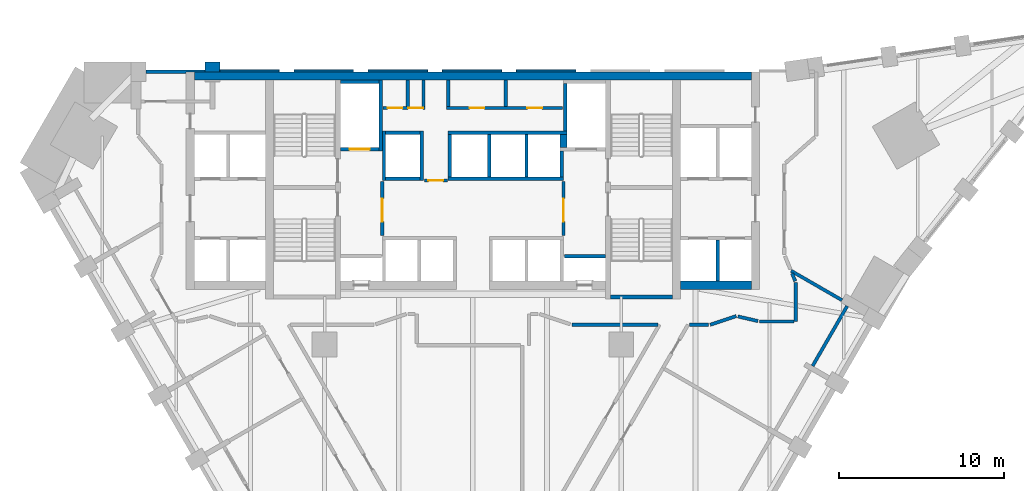
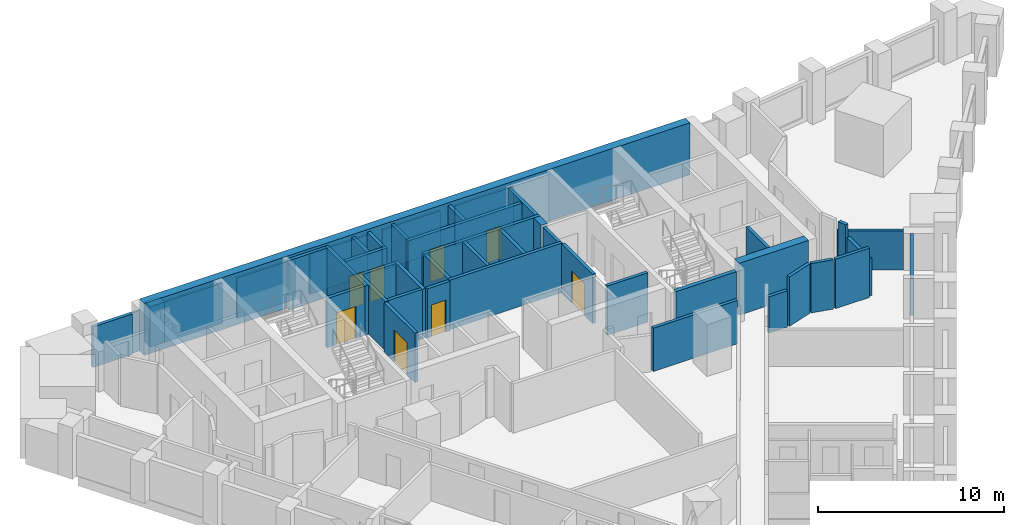
# One storey, part 7 of 10: 45 walls, 8 doors, 8 openings.
"""IFC4 building model written with IfcOpenShell, lengths in metres."""

from ifc_helpers import new_model, si_unit, direction, frame, frame_2d, origin, place, context, subcontext, project, spatial, polyline, rectangle, outline, extrude, material, layer, layer_set, type_object, element, fill, save


model = new_model("IFC4")

# Units and contexts
model_context = context("Model", 3, precision=1e-05, world=origin(), true_north=direction((0.0, 1.0)))
body_context = subcontext(model_context, "Body", "Model", "MODEL_VIEW")
ifc_project = project(units=[si_unit("LENGTHUNIT", "METRE"), si_unit("AREAUNIT", "SQUARE_METRE"), si_unit("VOLUMEUNIT", "CUBIC_METRE"), si_unit("PLANEANGLEUNIT", "RADIAN"), si_unit("MASSUNIT", "GRAM", prefix="KILO")], contexts=[model_context])

# Site, building, storey
site_placement = place(None, origin())
site = spatial("IfcSite", under=ifc_project, at=site_placement, CompositionType="ELEMENT")
building_placement = place(site_placement, origin())
building = spatial("IfcBuilding", under=site, at=building_placement, Name="Calabash Gate Tower", CompositionType="ELEMENT")
storey_placement = place(building_placement, frame((0.0, 0.0, 95.199951171875)))
storey = spatial("IfcBuildingStorey", under=building, at=storey_placement, Name="L20", CompositionType="ELEMENT", Elevation=95.199951171875)

# Walls
ifc_material_1 = material(Name="Terracotta brick masonry, exposed face", Category="masonry")
ifc_layer_1 = layer(ifc_material_1, 1.199951171875)
ifc_layer_set_1 = layer_set([ifc_layer_1], Name="Brick end wall 1200")
wall_type_1 = type_object("IfcWallType", Name="Brick end wall 1200", PredefinedType="SOLIDWALL", material=ifc_layer_set_1)
wall_1_placement = place(storey_placement, origin())
element("IfcWall", 1, at=wall_1_placement, inside=storey, type_object=wall_type_1, Name="Brick pier S05 N6.7a", PredefinedType="SOLIDWALL", context=body_context, shape_type="SweptSolid", body=[
    extrude(outline(polyline([(-15.35498046875, 19.052490234375), (-15.35498046875, 19.652587890625), (-16.255126953125, 19.652587890625), (-16.255126953125, 19.052490234375), (-15.35498046875, 19.052490234375)])), origin(), (0.0, 0.0, 1.0), 2.650146484375),
])
ifc_material_2 = material(Name="Gypsum board on steel studs, mineral wool", Category="steel")
ifc_layer_2 = layer(ifc_material_2, 0.199951171875)
ifc_layer_set_2 = layer_set([ifc_layer_2], Name="Core partition 200 gypsum board")
wall_type_2 = type_object("IfcWallType", Name="Core partition 200 gypsum board", PredefinedType="PARTITIONING", material=ifc_layer_set_2)
for number, where, z_axis, x_axis, name in (
    (2, (-3.949951171875, 16.95263671875, 0.0), (0.0, 0.0, 1.0), (0.0, 1.0, 0.0), "Core partition"),
    (3, (-3.0, 16.95263671875, 0.0), (0.0, 0.0, 1.0), (0.0, 1.0, 0.0), "Core partition"),
    (4, (-1.5, 16.95263671875, 0.0), (0.0, 0.0, 1.0), (0.0, 1.0, 0.0), "Core partition"),
    (5, (2.0, 16.95263671875, 0.0), (0.0, 0.0, 1.0), (0.0, 1.0, 0.0), "Core partition"),
):
    element("IfcWall", number, at=place(storey_placement, frame(where, z_axis=z_axis, x_axis=x_axis)), inside=storey, type_object=wall_type_2, Name=name, PredefinedType="PARTITIONING", context=body_context, shape_type="SweptSolid", body=[
        extrude(rectangle(XDim=1.599853515625, YDim=0.199951171875, at=frame_2d((0.7998046875, 0.0))), origin(), (0.0, 0.0, 1.0), 3.22998046875),
    ])
ifc_material_3 = material(Name="Concrete C80/95", Category="concrete")
ifc_layer_3 = layer(ifc_material_3, 0.25)
ifc_layer_set_3 = layer_set([ifc_layer_3], Name="Core wall 250 Concrete C80/95")
wall_type_3 = type_object("IfcWallType", Name="Core wall 250 Concrete C80/95", PredefinedType="SHEAR", material=ifc_layer_set_3)
wall_2_placement = place(storey_placement, frame((8.35009765625, 5.377685546875, 0.0), z_axis=(0.0, 0.0, 1.0), x_axis=(1.0, 0.0, 0.0)))
element("IfcWall", 6, at=wall_2_placement, inside=storey, type_object=wall_type_3, Name="Core wall Z2-SSE L20", PredefinedType="SHEAR", context=body_context, shape_type="SweptSolid", body=[
    extrude(rectangle(XDim=3.75, YDim=0.25, at=frame_2d((1.875, 0.0))), origin(), (0.0, 0.0, 1.0), 3.400146484375),
])
ifc_material_4 = material(Name="Concrete C80/95", Category="concrete")
ifc_layer_4 = layer(ifc_material_4, 0.5)
ifc_layer_set_4 = layer_set([ifc_layer_4], Name="Core wall 500 Concrete C80/95")
wall_type_4 = type_object("IfcWallType", Name="Core wall 500 Concrete C80/95", PredefinedType="SHEAR", material=ifc_layer_set_4)
wall_3_placement = place(storey_placement, frame((-16.89990234375, 18.802490234375, 0.0), z_axis=(0.0, 0.0, 1.0), x_axis=(1.0, 0.0, 0.0)))
element("IfcWall", 7, at=wall_3_placement, inside=storey, type_object=wall_type_4, Name="Core wall Z2-N L20", PredefinedType="SHEAR", context=body_context, shape_type="SweptSolid", body=[
    extrude(rectangle(XDim=33.7998046875, YDim=0.5, at=frame_2d((16.89990234375, 0.0))), origin(), (0.0, 0.0, 1.0), 3.400146484375),
])
wall_4_placement = place(storey_placement, frame((12.60009765625, 6.1025390625, 0.0), z_axis=(0.0, 0.0, 1.0), x_axis=(1.0, 0.0, 0.0)))
element("IfcWall", 8, at=wall_4_placement, inside=storey, type_object=wall_type_4, Name="Core wall Z2-SE L20", PredefinedType="SHEAR", context=body_context, shape_type="SweptSolid", body=[
    extrude(rectangle(XDim=4.2998046875, YDim=0.5, at=frame_2d((2.14990234375, 0.0))), origin(), (0.0, 0.0, 1.0), 3.400146484375),
])
ifc_material_5 = material(Name="Gypsum board on steel studs, mineral wool", Category="steel")
ifc_layer_5 = layer(ifc_material_5, 0.199951171875)
ifc_layer_set_5 = layer_set([ifc_layer_5], Name="Partition 200 gypsum board EI 60")
wall_type_5 = type_object("IfcWallType", Name="Partition 200 gypsum board EI 60", PredefinedType="PARTITIONING", material=ifc_layer_set_5)
wall_5_placement = place(storey_placement, frame((6.0, 3.69970703125, 0.0), z_axis=(0.0, 0.0, 1.0), x_axis=(1.0, 0.0, 0.0)))
element("IfcWall", 9, at=wall_5_placement, inside=storey, type_object=wall_type_5, Name="Partition", PredefinedType="PARTITIONING", context=body_context, shape_type="SweptSolid", body=[
    extrude(rectangle(XDim=5.21875, YDim=0.199951171875, at=frame_2d((2.609375, 0.0))), origin(), (0.0, 0.0, 1.0), 2.83154296875),
])
wall_6_placement = place(storey_placement, frame((13.1513671875, 3.699462890625, 0.0), z_axis=(0.0, 0.0, 1.0), x_axis=(1.0, 0.0, 0.0)))
element("IfcWall", 10, at=wall_6_placement, inside=storey, type_object=wall_type_5, Name="Partition", PredefinedType="PARTITIONING", context=body_context, shape_type="SweptSolid", body=[
    extrude(rectangle(XDim=1.148681640625, YDim=0.199951171875, at=frame_2d((0.57421875, 0.0))), origin(), (0.0, 0.0, 1.0), 2.384033203125),
])
wall_7_placement = place(storey_placement, frame((17.39990234375, 3.8994140625, 0.0), z_axis=(0.0, 0.0, 1.0), x_axis=(0.999999993244, 0.000116238521, 0.0)))
element("IfcWall", 11, at=wall_7_placement, inside=storey, type_object=wall_type_5, Name="Partition", PredefinedType="PARTITIONING", context=body_context, shape_type="SweptSolid", body=[
    extrude(rectangle(XDim=2.100341796875, YDim=0.199951171875, at=frame_2d((1.05029296875, 0.0))), origin(), (0.0, 0.0, 1.0), 3.22998046875),
])
wall_8_placement = place(storey_placement, frame((16.080322265625, 4.20458984375, 0.0), z_axis=(0.0, 0.0, 1.0), x_axis=(0.974315694548, -0.225186428005, 0.0)))
element("IfcWall", 12, at=wall_8_placement, inside=storey, type_object=wall_type_5, Name="Partition", PredefinedType="PARTITIONING", context=body_context, shape_type="SweptSolid", body=[
    extrude(rectangle(XDim=1.25439453125, YDim=0.199951171875, at=frame_2d((0.627197265625, 0.0))), origin(), (0.0, 0.0, 1.0), 3.22998046875),
])
wall_9_placement = place(storey_placement, frame((14.400146484375, 3.699462890625, 0.0), z_axis=(0.0, 0.0, 1.0), x_axis=(0.948683298051, 0.316227766017, 0.0)))
element("IfcWall", 13, at=wall_9_placement, inside=storey, type_object=wall_type_5, Name="Partition", PredefinedType="PARTITIONING", context=body_context, shape_type="SweptSolid", body=[
    extrude(rectangle(XDim=1.66845703125, YDim=0.199951171875, at=frame_2d((0.834228515625, 0.0))), origin(), (0.0, 0.0, 1.0), 3.22998046875),
])
wall_10_placement = place(storey_placement, frame((19.3046875, 6.97509765625, 0.0), z_axis=(0.0, 0.0, 1.0), x_axis=(0.866254994177, -0.499602126761, 0.0)))
element("IfcWall", 14, at=wall_10_placement, inside=storey, type_object=wall_type_5, Name="Partition", PredefinedType="PARTITIONING", context=body_context, shape_type="SweptSolid", body=[
    extrude(rectangle(XDim=3.57177734375, YDim=0.199951171875, at=frame_2d((1.785888671875, 0.0))), origin(), (0.0, 0.0, 1.0), 2.552001953125),
])
wall_11_placement = place(storey_placement, frame((19.600341796875, 3.899658203125, 0.0), z_axis=(0.0, 0.0, 1.0), x_axis=(0.000103755965, 0.999999994617, 0.0)))
element("IfcWall", 15, at=wall_11_placement, inside=storey, type_object=wall_type_5, Name="Partition", PredefinedType="PARTITIONING", context=body_context, shape_type="SweptSolid", body=[
    extrude(rectangle(XDim=2.35302734375, YDim=0.199951171875, at=frame_2d((1.176513671875, 0.0))), origin(), (0.0, 0.0, 1.0), 2.4501953125),
])
wall_12_placement = place(storey_placement, frame((19.366455078125, 6.823974609375, 0.0), z_axis=(0.0, 0.0, 1.0), x_axis=(0.378945204734, -0.925419111435, 0.0)))
element("IfcWall", 16, at=wall_12_placement, inside=storey, type_object=wall_type_5, Name="Partition", PredefinedType="PARTITIONING", context=body_context, shape_type="SweptSolid", body=[
    extrude(rectangle(XDim=0.517333984375, YDim=0.199951171875, at=frame_2d((0.2587890625, 0.0))), origin(), (0.0, 0.0, 1.0), 3.22998046875),
])
ifc_material_6 = material(Name="Concrete C40/50", Category="concrete")
ifc_layer_6 = layer(ifc_material_6, 0.199951171875)
ifc_layer_set_6 = layer_set([ifc_layer_6], Name="Shaft wall 200 Concrete C40/50")
wall_type_6 = type_object("IfcWallType", Name="Shaft wall 200 Concrete C40/50", PredefinedType="SOLIDWALL", material=ifc_layer_set_6)
for number, where, z_axis, x_axis, name in (
    (17, (14.85009765625, 6.3525390625, 0.0), (0.0, 0.0, 1.0), (0.0, 1.0, 0.0), "Shaft wall"),
    (18, (5.550048828125, 7.8525390625, 0.0), (0.0, 0.0, 1.0), (1.0, 0.0, 0.0), "Shaft wall"),
):
    element("IfcWall", number, at=place(storey_placement, frame(where, z_axis=z_axis, x_axis=x_axis)), inside=storey, type_object=wall_type_6, Name=name, PredefinedType="SOLIDWALL", context=body_context, shape_type="SweptSolid", body=[
        extrude(rectangle(XDim=2.5, YDim=0.199951171875, at=frame_2d((1.25, 0.0))), origin(), (0.0, 0.0, 1.0), 3.22998046875),
    ])

# Wall, opening, door
wall_13_placement = place(storey_placement, frame((-5.5, 9.1025390625, 0.0), z_axis=(0.0, 0.0, 1.0), x_axis=(0.0, 1.0, 0.0)))
wall_13 = element("IfcWall", 19, at=wall_13_placement, inside=storey, type_object=wall_type_6, Name="Shaft wall", PredefinedType="SOLIDWALL", context=body_context, shape_type="SweptSolid", body=[
    extrude(rectangle(XDim=3.300048828125, YDim=0.199951171875, at=frame_2d((1.64990234375, 0.0))), origin(), (0.0, 0.0, 1.0), 3.22998046875),
])
opening_1_placement = place(wall_13_placement, frame((0.85009765625, 0.0, 0.0)))
opening_1 = element("IfcOpeningElement", 20, at=opening_1_placement, cuts=wall_13, Name="Opening H5-007", PredefinedType="OPENING", context=body_context, shape_type="SweptSolid", body=[
    extrude(rectangle(XDim=1.39990234375, YDim=2.10009765625, at=frame_2d((0.699951171875, 1.050048828125))), frame((0.0, 0.10986328125, 0.0), z_axis=(0.0, -1.0, 0.0), x_axis=(1.0, 0.0, 0.0)), (0.0, 0.0, 1.0), 0.219970703125),
])
ifc_material_7 = material(Name="Steel fire door set with fire-resisting glazing", Category="steel")
door_type_1 = type_object("IfcDoorType", Name="Fire door D05 1400x2100 FD90", OperationType="NOTDEFINED", PredefinedType="DOOR", material=ifc_material_7)
door_1_placement = place(opening_1_placement, origin())
door_1 = element("IfcDoor", 21, at=door_1_placement, inside=storey, type_object=door_type_1, Name="Firefighting Lobby W door", OperationType="SINGLE_SWING_RIGHT", OverallHeight=2.10009765625, OverallWidth=1.39990234375, PredefinedType="DOOR", context=body_context, shape_type="SweptSolid", body=[
    extrude(rectangle(XDim=1.39990234375, YDim=2.10009765625, at=frame_2d((0.699951171875, 1.050048828125))), frame((0.0, 0.02490234375, 0.0), z_axis=(0.0, -1.0, 0.0), x_axis=(1.0, 0.0, 0.0)), (0.0, 0.0, 1.0), 0.050048828125),
])
fill(opening_1, door_1)

wall_14_placement = place(storey_placement, frame((5.5, 9.1025390625, 0.0), z_axis=(0.0, 0.0, 1.0), x_axis=(0.0, 1.0, 0.0)))
wall_14 = element("IfcWall", 22, at=wall_14_placement, inside=storey, type_object=wall_type_6, Name="Shaft wall", PredefinedType="SOLIDWALL", context=body_context, shape_type="SweptSolid", body=[
    extrude(rectangle(XDim=3.300048828125, YDim=0.199951171875, at=frame_2d((1.64990234375, 0.0))), origin(), (0.0, 0.0, 1.0), 3.22998046875),
])
opening_2_placement = place(wall_14_placement, frame((0.85009765625, 0.0, 0.0)))
opening_2 = element("IfcOpeningElement", 23, at=opening_2_placement, cuts=wall_14, Name="Opening H5-006", PredefinedType="OPENING", context=body_context, shape_type="SweptSolid", body=[
    extrude(rectangle(XDim=1.39990234375, YDim=2.10009765625, at=frame_2d((0.699951171875, 1.050048828125))), frame((0.0, 0.10986328125, 0.0), z_axis=(0.0, -1.0, 0.0), x_axis=(1.0, 0.0, 0.0)), (0.0, 0.0, 1.0), 0.219970703125),
])
door_2_placement = place(opening_2_placement, origin())
door_2 = element("IfcDoor", 24, at=door_2_placement, inside=storey, type_object=door_type_1, Name="Firefighting Lobby E door", OperationType="SINGLE_SWING_LEFT", OverallHeight=2.10009765625, OverallWidth=1.39990234375, PredefinedType="DOOR", context=body_context, shape_type="SweptSolid", body=[
    extrude(rectangle(XDim=1.39990234375, YDim=2.10009765625, at=frame_2d((0.699951171875, 1.050048828125))), frame((0.0, 0.02490234375, 0.0), z_axis=(0.0, -1.0, 0.0), x_axis=(1.0, 0.0, 0.0)), (0.0, 0.0, 1.0), 0.050048828125),
])
fill(opening_2, door_2)

wall_15_placement = place(storey_placement, frame((-2.949951171875, 12.45263671875, 0.0), z_axis=(0.0, 0.0, 1.0), x_axis=(1.0, 0.0, 0.0)))
wall_15 = element("IfcWall", 25, at=wall_15_placement, inside=storey, type_object=wall_type_6, Name="Shaft wall", PredefinedType="SOLIDWALL", context=body_context, shape_type="SweptSolid", body=[
    extrude(rectangle(XDim=1.39990234375, YDim=0.199951171875, at=frame_2d((0.699951171875, 0.0))), origin(), (0.0, 0.0, 1.0), 3.22998046875),
])
opening_3_placement = place(wall_15_placement, frame((0.25, 0.0, 0.0)))
opening_3 = element("IfcOpeningElement", 26, at=opening_3_placement, cuts=wall_15, Name="Opening H5-005", PredefinedType="OPENING", context=body_context, shape_type="SweptSolid", body=[
    extrude(rectangle(XDim=0.89990234375, YDim=2.10009765625, at=frame_2d((0.449951171875, 1.050048828125))), frame((0.0, 0.10986328125, 0.0), z_axis=(0.0, -1.0, 0.0), x_axis=(1.0, 0.0, 0.0)), (0.0, 0.0, 1.0), 0.219970703125),
])
ifc_material_8 = material(Name="Steel fire door set with fire-resisting glazing", Category="steel")
door_type_2 = type_object("IfcDoorType", Name="Fire door D06 900x2100 FD60", OperationType="NOTDEFINED", PredefinedType="DOOR", material=ifc_material_8)
door_3_placement = place(opening_3_placement, origin())
door_3 = element("IfcDoor", 27, at=door_3_placement, inside=storey, type_object=door_type_2, Name="Service Corridor door", OperationType="SINGLE_SWING_RIGHT", OverallHeight=2.10009765625, OverallWidth=0.89990234375, PredefinedType="DOOR", context=body_context, shape_type="SweptSolid", body=[
    extrude(rectangle(XDim=0.89990234375, YDim=2.10009765625, at=frame_2d((0.449951171875, 1.050048828125))), frame((0.0, 0.02490234375, 0.0), z_axis=(0.0, -1.0, 0.0), x_axis=(1.0, 0.0, 0.0)), (0.0, 0.0, 1.0), 0.050048828125),
])
fill(opening_3, door_3)

# Walls
wall_16_placement = place(storey_placement, frame((-5.39990234375, 12.45263671875, 0.0), z_axis=(0.0, 0.0, 1.0), x_axis=(0.0, 1.0, 0.0)))
element("IfcWall", 28, at=wall_16_placement, inside=storey, type_object=wall_type_6, Name="Shaft wall", PredefinedType="SOLIDWALL", context=body_context, shape_type="SweptSolid", body=[
    extrude(rectangle(XDim=3.0, YDim=0.199951171875, at=frame_2d((1.5, 0.0))), origin(), (0.0, 0.0, 1.0), 3.22998046875),
])
wall_17_placement = place(storey_placement, frame((-5.300048828125, 12.552490234375, 0.0), z_axis=(0.0, 0.0, 1.0), x_axis=(1.0, 0.0, 0.0)))
element("IfcWall", 29, at=wall_17_placement, inside=storey, type_object=wall_type_6, Name="Shaft wall", PredefinedType="SOLIDWALL", context=body_context, shape_type="SweptSolid", body=[
    extrude(rectangle(XDim=2.10009765625, YDim=0.199951171875, at=frame_2d((1.050048828125, 0.0))), origin(), (0.0, 0.0, 1.0), 3.22998046875),
])
wall_18_placement = place(storey_placement, frame((-3.10009765625, 12.45263671875, 0.0), z_axis=(0.0, 0.0, 1.0), x_axis=(0.0, 1.0, 0.0)))
element("IfcWall", 30, at=wall_18_placement, inside=storey, type_object=wall_type_6, Name="Shaft wall", PredefinedType="SOLIDWALL", context=body_context, shape_type="SweptSolid", body=[
    extrude(rectangle(XDim=3.0, YDim=0.199951171875, at=frame_2d((1.5, 0.0))), origin(), (0.0, 0.0, 1.0), 3.22998046875),
])
wall_19_placement = place(storey_placement, frame((-1.5, 12.552490234375, 0.0), z_axis=(0.0, 0.0, 1.0), x_axis=(1.0, 0.0, 0.0)))
element("IfcWall", 31, at=wall_19_placement, inside=storey, type_object=wall_type_6, Name="Shaft wall", PredefinedType="SOLIDWALL", context=body_context, shape_type="SweptSolid", body=[
    extrude(rectangle(XDim=7.0, YDim=0.199951171875, at=frame_2d((3.5, 0.0))), origin(), (0.0, 0.0, 1.0), 3.22998046875),
])
for number, where, z_axis, x_axis, name in (
    (32, (-1.39990234375, 12.652587890625, 0.0), (0.0, 0.0, 1.0), (0.0, 1.0, 0.0), "Shaft wall"),
    (33, (1.0, 12.652587890625, 0.0), (0.0, 0.0, 1.0), (0.0, 1.0, 0.0), "Shaft wall"),
    (34, (3.25, 12.652587890625, 0.0), (0.0, 0.0, 1.0), (0.0, 1.0, 0.0), "Shaft wall"),
):
    element("IfcWall", number, at=place(storey_placement, frame(where, z_axis=z_axis, x_axis=x_axis)), inside=storey, type_object=wall_type_6, Name=name, PredefinedType="SOLIDWALL", context=body_context, shape_type="SweptSolid", body=[
        extrude(rectangle(XDim=2.60009765625, YDim=0.199951171875, at=frame_2d((1.300048828125, 0.0))), origin(), (0.0, 0.0, 1.0), 3.22998046875),
    ])
wall_20_placement = place(storey_placement, frame((5.39990234375, 12.652587890625, 0.0), z_axis=(0.0, 0.0, 1.0), x_axis=(0.0, 1.0, 0.0)))
element("IfcWall", 35, at=wall_20_placement, inside=storey, type_object=wall_type_6, Name="Shaft wall", PredefinedType="SOLIDWALL", context=body_context, shape_type="SweptSolid", body=[
    extrude(rectangle(XDim=1.60009765625, YDim=0.199951171875, at=frame_2d((0.800048828125, 0.0))), origin(), (0.0, 0.0, 1.0), 3.22998046875),
])

# Wall, opening, door
wall_21_placement = place(storey_placement, frame((-8.050048828125, 14.3525390625, 0.0), z_axis=(0.0, 0.0, 1.0), x_axis=(1.0, 0.0, 0.0)))
wall_21 = element("IfcWall", 36, at=wall_21_placement, inside=storey, type_object=wall_type_6, Name="Shaft wall", PredefinedType="SOLIDWALL", context=body_context, shape_type="SweptSolid", body=[
    extrude(rectangle(XDim=2.35009765625, YDim=0.199951171875, at=frame_2d((1.175048828125, 0.0))), origin(), (0.0, 0.0, 1.0), 3.22998046875),
])
opening_4_placement = place(wall_21_placement, frame((0.574951171875, 0.0, 0.0)))
opening_4 = element("IfcOpeningElement", 37, at=opening_4_placement, cuts=wall_21, Name="Opening LD-FF1", PredefinedType="OPENING", context=body_context, shape_type="SweptSolid", body=[
    extrude(rectangle(XDim=1.199951171875, YDim=2.10009765625, at=frame_2d((0.60009765625, 1.050048828125))), frame((0.0, 0.10986328125, 0.0), z_axis=(0.0, -1.0, 0.0), x_axis=(1.0, 0.0, 0.0)), (0.0, 0.0, 1.0), 0.219970703125),
])
ifc_material_9 = material(Name="Stainless steel sliding door leaves", Category="steel")
door_type_3 = type_object("IfcDoorType", Name="Lift landing door LS3 1200x2100 FD90", OperationType="DOUBLE_DOOR_SLIDING", PredefinedType="DOOR", material=ifc_material_9)
door_4_placement = place(opening_4_placement, origin())
door_4 = element("IfcDoor", 38, at=door_4_placement, inside=storey, type_object=door_type_3, Name="Lift landing door FF1", OperationType="DOUBLE_DOOR_SLIDING", OverallHeight=2.10009765625, OverallWidth=1.199951171875, PredefinedType="DOOR", context=body_context, shape_type="SweptSolid", body=[
    extrude(rectangle(XDim=1.199951171875, YDim=2.10009765625, at=frame_2d((0.60009765625, 1.050048828125))), frame((0.0, 0.02490234375, 0.0), z_axis=(0.0, -1.0, 0.0), x_axis=(1.0, 0.0, 0.0)), (0.0, 0.0, 1.0), 0.050048828125),
])
fill(opening_4, door_4)

# Walls
wall_22_placement = place(storey_placement, frame((-5.60009765625, 14.252685546875, 0.0), z_axis=(0.0, 0.0, 1.0), x_axis=(0.0, 1.0, 0.0)))
element("IfcWall", 39, at=wall_22_placement, inside=storey, type_object=wall_type_6, Name="Shaft wall", PredefinedType="SOLIDWALL", context=body_context, shape_type="SweptSolid", body=[
    extrude(rectangle(XDim=4.2998046875, YDim=0.199951171875, at=frame_2d((2.14990234375, 0.0))), origin(), (0.0, 0.0, 1.0), 3.22998046875),
])
wall_23_placement = place(storey_placement, frame((5.5, 14.45263671875, 0.0), z_axis=(0.0, 0.0, 1.0), x_axis=(0.0, 1.0, 0.0)))
element("IfcWall", 40, at=wall_23_placement, inside=storey, type_object=wall_type_6, Name="Shaft wall", PredefinedType="SOLIDWALL", context=body_context, shape_type="SweptSolid", body=[
    extrude(rectangle(XDim=0.800048828125, YDim=0.39990234375, at=frame_2d((0.39990234375, 0.0))), origin(), (0.0, 0.0, 1.0), 3.22998046875),
])
wall_24_placement = place(storey_placement, frame((-5.300048828125, 15.3525390625, 0.0), z_axis=(0.0, 0.0, 1.0), x_axis=(1.0, 0.0, 0.0)))
element("IfcWall", 41, at=wall_24_placement, inside=storey, type_object=wall_type_6, Name="Shaft wall", PredefinedType="SOLIDWALL", context=body_context, shape_type="SweptSolid", body=[
    extrude(rectangle(XDim=2.10009765625, YDim=0.199951171875, at=frame_2d((1.050048828125, 0.0))), origin(), (0.0, 0.0, 1.0), 3.22998046875),
])
wall_25_placement = place(storey_placement, frame((-1.5, 15.3525390625, 0.0), z_axis=(0.0, 0.0, 1.0), x_axis=(1.0, 0.0, 0.0)))
element("IfcWall", 42, at=wall_25_placement, inside=storey, type_object=wall_type_6, Name="Shaft wall", PredefinedType="SOLIDWALL", context=body_context, shape_type="SweptSolid", body=[
    extrude(rectangle(XDim=7.199951171875, YDim=0.199951171875, at=frame_2d((3.60009765625, 0.0))), origin(), (0.0, 0.0, 1.0), 3.22998046875),
])
wall_26_placement = place(storey_placement, frame((5.60009765625, 15.45263671875, 0.0), z_axis=(0.0, 0.0, 1.0), x_axis=(0.0, 1.0, 0.0)))
element("IfcWall", 43, at=wall_26_placement, inside=storey, type_object=wall_type_6, Name="Shaft wall", PredefinedType="SOLIDWALL", context=body_context, shape_type="SweptSolid", body=[
    extrude(rectangle(XDim=2.89990234375, YDim=0.199951171875, at=frame_2d((1.449951171875, 0.0))), origin(), (0.0, 0.0, 1.0), 3.22998046875),
])

# Wall, openings, doors
wall_27_placement = place(storey_placement, frame((-5.449951171875, 16.8525390625, 0.0), z_axis=(0.0, 0.0, 1.0), x_axis=(1.0, 0.0, 0.0)))
wall_27 = element("IfcWall", 44, at=wall_27_placement, inside=storey, type_object=wall_type_6, Name="Shaft wall", PredefinedType="SOLIDWALL", context=body_context, shape_type="SweptSolid", body=[
    extrude(rectangle(XDim=2.550048828125, YDim=0.199951171875, at=frame_2d((1.27490234375, 0.0))), origin(), (0.0, 0.0, 1.0), 3.22998046875),
])
opening_5_placement = place(wall_27_placement, frame((0.27490234375, 0.0, 0.0)))
opening_5 = element("IfcOpeningElement", 45, at=opening_5_placement, cuts=wall_27, Name="Opening H5-008", PredefinedType="OPENING", context=body_context, shape_type="SweptSolid", body=[
    extrude(rectangle(XDim=0.89990234375, YDim=2.10009765625, at=frame_2d((0.449951171875, 1.050048828125))), frame((0.0, 0.10986328125, 0.0), z_axis=(0.0, -1.0, 0.0), x_axis=(1.0, 0.0, 0.0)), (0.0, 0.0, 1.0), 0.219970703125),
])
opening_6_placement = place(wall_27_placement, frame((1.52490234375, 0.0, 0.0)))
opening_6 = element("IfcOpeningElement", 46, at=opening_6_placement, cuts=wall_27, Name="Opening H5-009", PredefinedType="OPENING", context=body_context, shape_type="SweptSolid", body=[
    extrude(rectangle(XDim=0.89990234375, YDim=2.10009765625, at=frame_2d((0.449951171875, 1.050048828125))), frame((0.0, 0.10986328125, 0.0), z_axis=(0.0, -1.0, 0.0), x_axis=(1.0, 0.0, 0.0)), (0.0, 0.0, 1.0), 0.219970703125),
])
door_5_placement = place(opening_5_placement, origin())
door_5 = element("IfcDoor", 47, at=door_5_placement, inside=storey, type_object=door_type_2, Name="Hotel Pantry door", OperationType="SINGLE_SWING_LEFT", OverallHeight=2.10009765625, OverallWidth=0.89990234375, PredefinedType="DOOR", context=body_context, shape_type="SweptSolid", body=[
    extrude(rectangle(XDim=0.89990234375, YDim=2.10009765625, at=frame_2d((0.449951171875, 1.050048828125))), frame((0.0, 0.02490234375, 0.0), z_axis=(0.0, -1.0, 0.0), x_axis=(1.0, 0.0, 0.0)), (0.0, 0.0, 1.0), 0.050048828125),
])
fill(opening_5, door_5)
door_6_placement = place(opening_6_placement, origin())
door_6 = element("IfcDoor", 48, at=door_6_placement, inside=storey, type_object=door_type_2, Name="Luggage Store door", OperationType="SINGLE_SWING_LEFT", OverallHeight=2.10009765625, OverallWidth=0.89990234375, PredefinedType="DOOR", context=body_context, shape_type="SweptSolid", body=[
    extrude(rectangle(XDim=0.89990234375, YDim=2.10009765625, at=frame_2d((0.449951171875, 1.050048828125))), frame((0.0, 0.02490234375, 0.0), z_axis=(0.0, -1.0, 0.0), x_axis=(1.0, 0.0, 0.0)), (0.0, 0.0, 1.0), 0.050048828125),
])
fill(opening_6, door_6)

wall_28_placement = place(storey_placement, frame((-1.60009765625, 16.8525390625, 0.0), z_axis=(0.0, 0.0, 1.0), x_axis=(1.0, 0.0, 0.0)))
wall_28 = element("IfcWall", 49, at=wall_28_placement, inside=storey, type_object=wall_type_6, Name="Shaft wall", PredefinedType="SOLIDWALL", context=body_context, shape_type="SweptSolid", body=[
    extrude(rectangle(XDim=7.050048828125, YDim=0.199951171875, at=frame_2d((3.52490234375, 0.0))), origin(), (0.0, 0.0, 1.0), 3.22998046875),
])
opening_7_placement = place(wall_28_placement, frame((1.39990234375, 0.0, 0.0)))
opening_7 = element("IfcOpeningElement", 50, at=opening_7_placement, cuts=wall_28, Name="Opening H5-010", PredefinedType="OPENING", context=body_context, shape_type="SweptSolid", body=[
    extrude(rectangle(XDim=0.89990234375, YDim=2.10009765625, at=frame_2d((0.449951171875, 1.050048828125))), frame((0.0, 0.10986328125, 0.0), z_axis=(0.0, -1.0, 0.0), x_axis=(1.0, 0.0, 0.0)), (0.0, 0.0, 1.0), 0.219970703125),
])
opening_8_placement = place(wall_28_placement, frame((4.89990234375, 0.0, 0.0)))
opening_8 = element("IfcOpeningElement", 51, at=opening_8_placement, cuts=wall_28, Name="Opening H5-011", PredefinedType="OPENING", context=body_context, shape_type="SweptSolid", body=[
    extrude(rectangle(XDim=0.89990234375, YDim=2.10009765625, at=frame_2d((0.449951171875, 1.050048828125))), frame((0.0, 0.10986328125, 0.0), z_axis=(0.0, -1.0, 0.0), x_axis=(1.0, 0.0, 0.0)), (0.0, 0.0, 1.0), 0.219970703125),
])
door_7_placement = place(opening_7_placement, origin())
door_7 = element("IfcDoor", 52, at=door_7_placement, inside=storey, type_object=door_type_2, Name="Comms Room door", OperationType="SINGLE_SWING_LEFT", OverallHeight=2.10009765625, OverallWidth=0.89990234375, PredefinedType="DOOR", context=body_context, shape_type="SweptSolid", body=[
    extrude(rectangle(XDim=0.89990234375, YDim=2.10009765625, at=frame_2d((0.449951171875, 1.050048828125))), frame((0.0, 0.02490234375, 0.0), z_axis=(0.0, -1.0, 0.0), x_axis=(1.0, 0.0, 0.0)), (0.0, 0.0, 1.0), 0.050048828125),
])
fill(opening_7, door_7)
door_8_placement = place(opening_8_placement, origin())
door_8 = element("IfcDoor", 53, at=door_8_placement, inside=storey, type_object=door_type_2, Name="Housekeeping Store door", OperationType="SINGLE_SWING_LEFT", OverallHeight=2.10009765625, OverallWidth=0.89990234375, PredefinedType="DOOR", context=body_context, shape_type="SweptSolid", body=[
    extrude(rectangle(XDim=0.89990234375, YDim=2.10009765625, at=frame_2d((0.449951171875, 1.050048828125))), frame((0.0, 0.02490234375, 0.0), z_axis=(0.0, -1.0, 0.0), x_axis=(1.0, 0.0, 0.0)), (0.0, 0.0, 1.0), 0.050048828125),
])
fill(opening_8, door_8)

# Walls
wall_29_placement = place(storey_placement, frame((-8.050048828125, 18.45263671875, 0.0), z_axis=(0.0, 0.0, 1.0), x_axis=(1.0, 0.0, 0.0)))
element("IfcWall", 54, at=wall_29_placement, inside=storey, type_object=wall_type_6, Name="Shaft wall", PredefinedType="SOLIDWALL", context=body_context, shape_type="SweptSolid", body=[
    extrude(rectangle(XDim=2.35009765625, YDim=0.199951171875, at=frame_2d((1.175048828125, 0.0))), origin(), (0.0, 0.0, 1.0), 3.22998046875),
])
ifc_material_10 = material(Name="Terracotta brick masonry, perforated", Category="masonry")
ifc_layer_7 = layer(ifc_material_10, 0.1201171875)
ifc_layer_set_7 = layer_set([ifc_layer_7], Name="Terracotta jaali cladding A 120")
wall_type_7 = type_object("IfcWallType", Name="Terracotta jaali cladding A 120", PredefinedType="SOLIDWALL", material=ifc_layer_set_7)
wall_30_placement = place(storey_placement, origin())
element("IfcWall", 55, at=wall_30_placement, inside=storey, type_object=wall_type_7, Name="Jaali cladding S05 N6.3", PredefinedType="SOLIDWALL", context=body_context, shape_type="SweptSolid", body=[
    extrude(outline(polyline([(2.64501953125, 19.172607421875), (2.64501953125, 19.052490234375), (6.244873046875, 19.052490234375), (6.244873046875, 19.172607421875), (2.64501953125, 19.172607421875)])), origin(), (0.0, 0.0, 1.0), 2.650146484375),
])
wall_31_placement = place(storey_placement, origin())
element("IfcWall", 56, at=wall_31_placement, inside=storey, type_object=wall_type_7, Name="Jaali cladding S05 N6.5", PredefinedType="SOLIDWALL", context=body_context, shape_type="SweptSolid", body=[
    extrude(outline(polyline([(-6.35498046875, 19.172607421875), (-6.35498046875, 19.052490234375), (-2.755126953125, 19.052490234375), (-2.755126953125, 19.172607421875), (-6.35498046875, 19.172607421875)])), origin(), (0.0, 0.0, 1.0), 2.650146484375),
])
wall_32_placement = place(storey_placement, origin())
element("IfcWall", 57, at=wall_32_placement, inside=storey, type_object=wall_type_7, Name="Jaali cladding S05 N6.7", PredefinedType="SOLIDWALL", context=body_context, shape_type="SweptSolid", body=[
    extrude(outline(polyline([(-15.3544921875, 19.172607421875), (-15.3544921875, 19.052490234375), (-11.755126953125, 19.052490234375), (-11.755126953125, 19.172607421875), (-15.3544921875, 19.172607421875)])), origin(), (0.0, 0.0, 1.0), 2.650146484375),
])
ifc_material_11 = material(Name="Terracotta brick masonry, perforated", Category="masonry")
ifc_layer_8 = layer(ifc_material_11, 0.199951171875)
ifc_layer_set_8 = layer_set([ifc_layer_8], Name="Terracotta jaali screen A")
wall_type_8 = type_object("IfcWallType", Name="Terracotta jaali screen A", PredefinedType="SOLIDWALL", material=ifc_layer_set_8)
wall_33_placement = place(storey_placement, origin())
element("IfcWall", 58, at=wall_33_placement, inside=storey, type_object=wall_type_8, Name="SCREEN A S05 N6.8", PredefinedType="SOLIDWALL", context=body_context, shape_type="SweptSolid", body=[
    extrude(outline(polyline([(-16.255126953125, 19.052490234375), (-16.255126953125, 19.152587890625), (-19.85302734375, 19.152587890625), (-19.85302734375, 18.95263671875), (-17.39990234375, 18.95263671875), (-17.39990234375, 19.052490234375), (-16.255126953125, 19.052490234375)])), origin(), (0.0, 0.0, 1.0), 2.650146484375),
])
ifc_material_12 = material(Name="Terracotta louvre blades in an aluminium frame", Category="masonry")
ifc_layer_9 = layer(ifc_material_12, 0.1201171875)
ifc_layer_set_9 = layer_set([ifc_layer_9], Name="Terracotta vent louvre cladding 120")
wall_type_9 = type_object("IfcWallType", Name="Terracotta vent louvre cladding 120", PredefinedType="ELEMENTEDWALL", material=ifc_layer_set_9)
wall_34_placement = place(storey_placement, origin())
element("IfcWall", 59, at=wall_34_placement, inside=storey, type_object=wall_type_9, Name="Vent louvre cladding S05 N6.4", PredefinedType="ELEMENTEDWALL", context=body_context, shape_type="SweptSolid", body=[
    extrude(outline(polyline([(-1.85498046875, 19.172607421875), (-1.85498046875, 19.052490234375), (1.744873046875, 19.052490234375), (1.744873046875, 19.172607421875), (-1.85498046875, 19.172607421875)])), origin(), (0.0, 0.0, 1.0), 2.650146484375),
])
wall_35_placement = place(storey_placement, origin())
element("IfcWall", 60, at=wall_35_placement, inside=storey, type_object=wall_type_9, Name="Vent louvre cladding S05 N6.6", PredefinedType="ELEMENTEDWALL", context=body_context, shape_type="SweptSolid", body=[
    extrude(outline(polyline([(-10.85498046875, 19.172607421875), (-10.85498046875, 19.052490234375), (-7.255126953125, 19.052490234375), (-7.255126953125, 19.172607421875), (-10.85498046875, 19.172607421875)])), origin(), (0.0, 0.0, 1.0), 2.650146484375),
])
ifc_material_13 = material(Name="Aluminium framed window wall with insulated spandrel", Category="aluminium")
ifc_layer_10 = layer(ifc_material_13, 0.199951171875)
ifc_layer_set_10 = layer_set([ifc_layer_10], Name="Window wall 200")
wall_type_10 = type_object("IfcWallType", Name="Window wall 200", PredefinedType="ELEMENTEDWALL", material=ifc_layer_set_10)
wall_36_placement = place(storey_placement, frame((20.613525390625, 1.19873046875, 0.0), z_axis=(0.0, 0.0, 1.0), x_axis=(0.500027713859, 0.866009402589, 0.0)))
element("IfcWall", 61, at=wall_36_placement, inside=storey, type_object=wall_type_10, Name="Window wall S05 SE2.8", PredefinedType="ELEMENTEDWALL", context=body_context, shape_type="SweptSolid", body=[
    extrude(rectangle(XDim=4.199951171875, YDim=0.199951171875, at=frame_2d((2.10009765625, 0.0))), origin(), (0.0, 0.0, 1.0), 2.4501953125),
])

save(model, "model.ifc")
